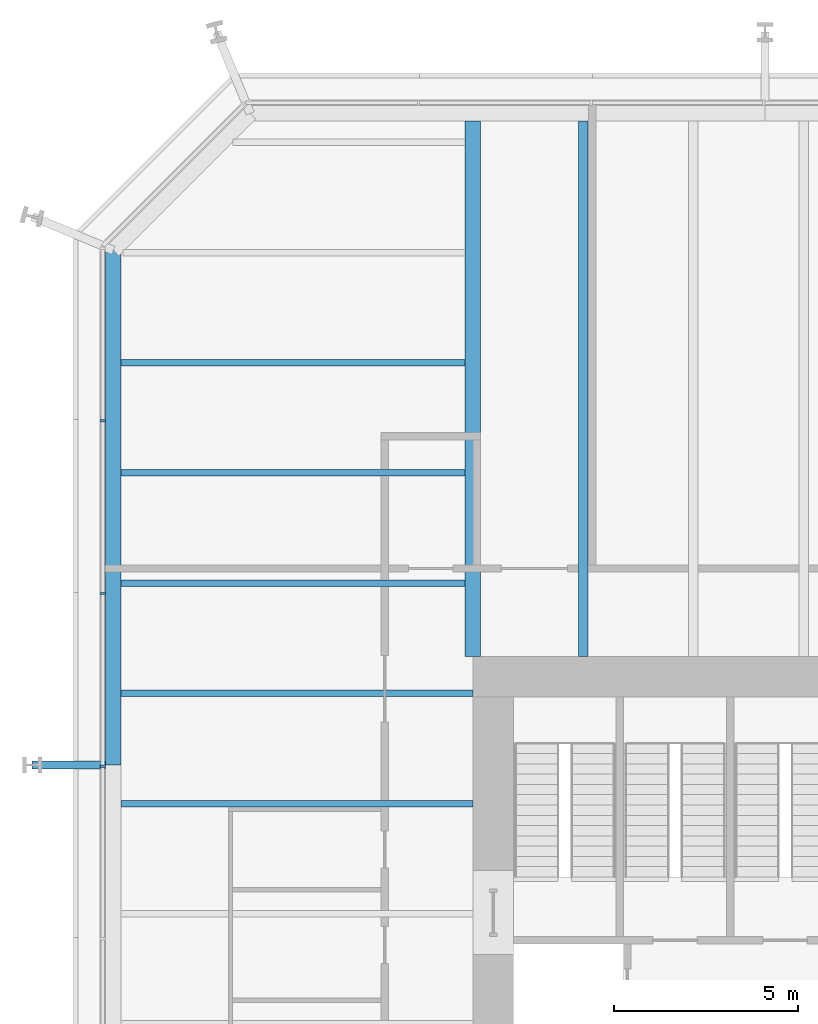
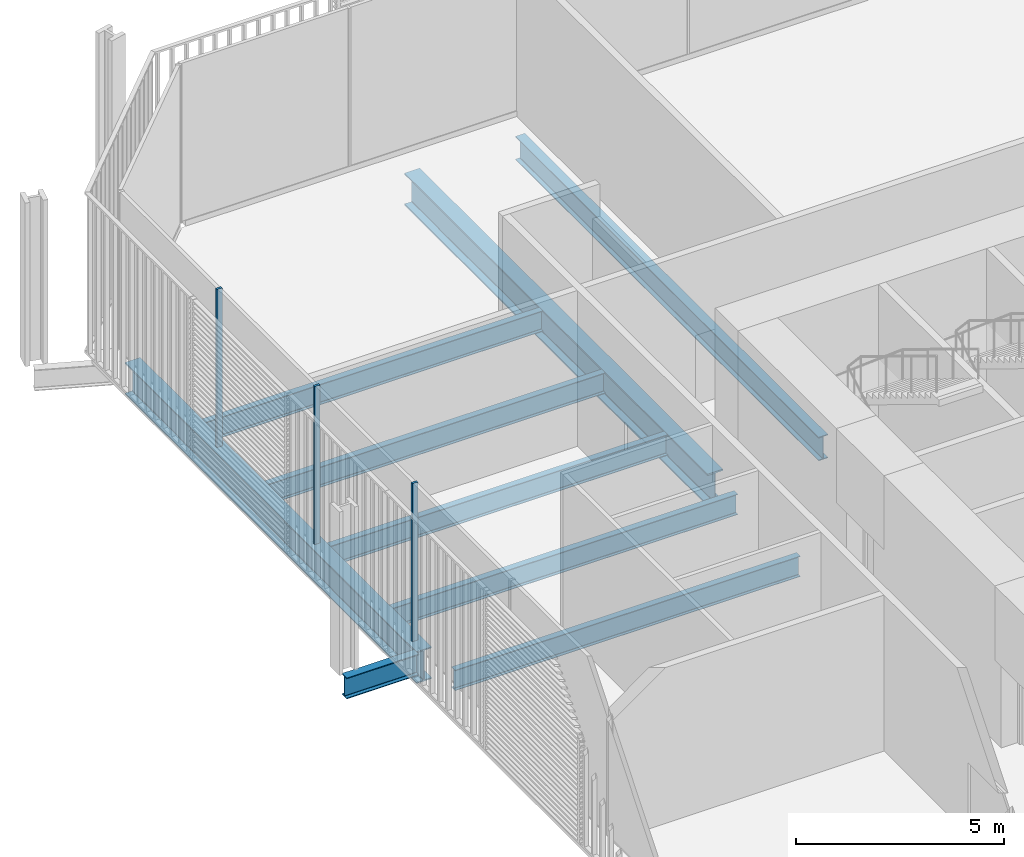
# One storey, part 12 of 22: 9 beams, 3 members, 1 element without a shape of its own.
"""IFC4 building model written with IfcOpenShell, lengths in metres."""

from ifc_helpers import new_model, si_unit, direction, frame, origin, origin_2d, place, context, subcontext, project, spatial, rectangle, i_section, extrude, material, layer, layer_set, material_profile, profile_set, type_object, element, aggregate, save


model = new_model("IFC4")

# Units and contexts
model_context = context("Model", 3, precision=1e-05, world=origin(), true_north=direction((0.0, 1.0)))
body_context = subcontext(model_context, "Body", "Model", "MODEL_VIEW")
ifc_project = project(units=[si_unit("LENGTHUNIT", "METRE"), si_unit("AREAUNIT", "SQUARE_METRE"), si_unit("VOLUMEUNIT", "CUBIC_METRE"), si_unit("PLANEANGLEUNIT", "RADIAN"), si_unit("MASSUNIT", "GRAM", prefix="KILO")], contexts=[model_context])

# Site, building, storey
site_placement = place(None, origin())
site = spatial("IfcSite", under=ifc_project, at=site_placement, CompositionType="ELEMENT")
building_placement = place(site_placement, origin())
building = spatial("IfcBuilding", under=site, at=building_placement, Name="Millrace Tower", CompositionType="ELEMENT")
storey_placement = place(building_placement, frame((0.0, 0.0, 49.699951171875)))
storey = spatial("IfcBuildingStorey", under=building, at=storey_placement, Name="L11", CompositionType="ELEMENT", Elevation=49.699951171875)

# Curtain wall, members
ifc_material_1 = material(Name="Aluminium and glass", Category="aluminium")
ifc_layer = layer(ifc_material_1, 0.14990234375)
ifc_layer_set = layer_set([ifc_layer], Name="Aluminium and glass")
curtain_wall_type = type_object("IfcCurtainWallType", Name="CW-2 data hall insulated curtain wall", PredefinedType="NOTDEFINED", material=ifc_layer_set)
curtain_wall_placement = place(storey_placement, origin())
curtain_wall = element("IfcCurtainWall", 1, at=curtain_wall_placement, inside=storey, type_object=curtain_wall_type, Name="Curtain wall A-F08 L11", PredefinedType="NOTDEFINED")
ifc_material_2 = material(Name="Aluminium", Category="aluminium")
ifc_material_profile_1 = material_profile(ifc_material_2, rectangle(XDim=0.06494140625, YDim=0.14990234375, at=origin_2d()))
ifc_profile_set_1 = profile_set([ifc_material_profile_1], Name="Aluminium")
member_type = type_object("IfcMemberType", Name="CW-2 data hall insulated curtain wall mullion", PredefinedType="MULLION", material=ifc_profile_set_1)
member_1_placement = place(storey_placement, frame((-25.074951171875, 16.41748046875, 0.16015625), z_axis=(0.0, 0.0, 1.0), x_axis=(0.0, -1.0, 0.0)))
member_1 = element("IfcMember", 2, at=member_1_placement, type_object=member_type, Name="CW2 mullion A-F08.2", PredefinedType="MULLION", context=body_context, shape_type="SweptSolid", body=[
    extrude(rectangle(XDim=0.06494140625, YDim=0.14990234375, at=origin_2d()), origin(), (0.0, 0.0, 1.0), 4.639892578125),
])
member_2_placement = place(storey_placement, frame((-25.074951171875, 11.717529296875, 0.16015625), z_axis=(0.0, 0.0, 1.0), x_axis=(0.0, -1.0, 0.0)))
member_2 = element("IfcMember", 3, at=member_2_placement, type_object=member_type, Name="CW2 mullion A-F08.3", PredefinedType="MULLION", context=body_context, shape_type="SweptSolid", body=[
    extrude(rectangle(XDim=0.06494140625, YDim=0.14990234375, at=origin_2d()), origin(), (0.0, 0.0, 1.0), 4.639892578125),
])
member_3_placement = place(storey_placement, frame((-25.074951171875, 7.017578125, 0.16015625), z_axis=(0.0, 0.0, 1.0), x_axis=(0.0, -1.0, 0.0)))
member_3 = element("IfcMember", 4, at=member_3_placement, type_object=member_type, Name="CW2 mullion A-F08.4", PredefinedType="MULLION", context=body_context, shape_type="SweptSolid", body=[
    extrude(rectangle(XDim=0.06494140625, YDim=0.14990234375, at=origin_2d()), origin(), (0.0, 0.0, 1.0), 4.639892578125),
])
aggregate(curtain_wall, [member_1, member_2, member_3])

# Beams
ifc_material_3 = material(Name="Steel ASTM A992 Grade 50", Category="steel")
ifc_material_profile_2 = material_profile(ifc_material_3, i_section(OverallWidth=0.1787109375, OverallDepth=0.60205078125, WebThickness=0.010986328125, FlangeThickness=0.014892578125, FilletRadius=0.0126953125, at=origin_2d()))
ifc_profile_set_2 = profile_set([ifc_material_profile_2], Name="Steel ASTM A992 Grade 50")
beam_type_1 = type_object("IfcBeamType", Name="Floor beam W24x62", PredefinedType="JOIST", material=ifc_profile_set_2)
for number, where, z_axis, x_axis, name in (
    (5, (-24.578369140625, 6.0, -0.52587890625), (1.0, 0.0, 0.0), (0.0, 1.0, 0.0), "BM-A-L11-S1-S027"),
    (6, (-24.578369140625, 9.0, -0.52587890625), (1.0, 0.0, 0.0), (0.0, 1.0, 0.0), "BM-A-L11-S1-S030"),
):
    element("IfcBeam", number, at=place(storey_placement, frame(where, z_axis=z_axis, x_axis=x_axis)), inside=storey, type_object=beam_type_1, Name=name, PredefinedType="JOIST", context=body_context, shape_type="SweptSolid", body=[
        extrude(i_section(OverallWidth=0.1787109375, OverallDepth=0.60205078125, WebThickness=0.010986328125, FlangeThickness=0.014892578125, FilletRadius=0.0126953125, at=origin_2d()), origin(), (0.0, 0.0, 1.0), 9.578369140625),
    ])
for number, where, z_axis, x_axis, name in (
    (7, (-24.578369140625, 12.0, -0.52587890625), (1.0, 0.0, 0.0), (0.0, 1.0, 0.0), "BM-A-L11-S1-S032"),
    (8, (-24.578369140625, 15.0, -0.52587890625), (1.0, 0.0, 0.0), (0.0, 1.0, 0.0), "BM-A-L11-S1-S034"),
    (9, (-24.578369140625, 18.0, -0.52587890625), (1.0, 0.0, 0.0), (0.0, 1.0, 0.0), "BM-A-L11-S1-S036"),
):
    element("IfcBeam", number, at=place(storey_placement, frame(where, z_axis=z_axis, x_axis=x_axis)), inside=storey, type_object=beam_type_1, Name=name, PredefinedType="JOIST", context=body_context, shape_type="SweptSolid", body=[
        extrude(i_section(OverallWidth=0.1787109375, OverallDepth=0.60205078125, WebThickness=0.010986328125, FlangeThickness=0.014892578125, FilletRadius=0.0126953125, at=origin_2d()), origin(), (0.0, 0.0, 1.0), 9.3662109375),
    ])
ifc_material_4 = material(Name="Steel ASTM A992 Grade 50", Category="steel")
ifc_material_profile_3 = material_profile(ifc_material_4, i_section(OverallWidth=0.256591796875, OverallDepth=0.693359375, WebThickness=0.014404296875, FlangeThickness=0.023681640625, FilletRadius=0.01513671875, at=origin_2d()))
ifc_profile_set_3 = profile_set([ifc_material_profile_3], Name="Steel ASTM A992 Grade 50")
beam_type_2 = type_object("IfcBeamType", Name="Floor beam W27x114", PredefinedType="JOIST", material=ifc_profile_set_3)
beam_1_placement = place(storey_placement, frame((-12.0, 10.0, -0.57177734375), z_axis=(0.0, 1.0, 0.0), x_axis=(-1.0, 0.0, 0.0)))
element("IfcBeam", 10, at=beam_1_placement, inside=storey, type_object=beam_type_2, Name="BM-A-L11-S1-S042", PredefinedType="JOIST", context=body_context, shape_type="SweptSolid", body=[
    extrude(i_section(OverallWidth=0.256591796875, OverallDepth=0.693359375, WebThickness=0.014404296875, FlangeThickness=0.023681640625, FilletRadius=0.01513671875, at=origin_2d()), origin(), (0.0, 0.0, 1.0), 14.578369140625),
])
ifc_material_5 = material(Name="Steel ASTM A992 Grade 50", Category="steel")
ifc_material_profile_4 = material_profile(ifc_material_5, i_section(OverallWidth=0.424072265625, OverallDepth=0.947509765625, WebThickness=0.02392578125, FlangeThickness=0.042724609375, FilletRadius=0.024169921875, at=origin_2d()))
ifc_profile_set_4 = profile_set([ifc_material_profile_4], Name="Steel ASTM A992 Grade 50")
beam_type_3 = type_object("IfcBeamType", Name="Girder medium span W36x302", PredefinedType="BEAM", material=ifc_profile_set_4)
beam_2_placement = place(storey_placement, frame((-15.0, 10.0, -0.69873046875), z_axis=(0.0, 1.0, 0.0), x_axis=(-1.0, 0.0, 0.0)))
element("IfcBeam", 11, at=beam_2_placement, inside=storey, type_object=beam_type_3, Name="BM-A-L11-S1-G060", PredefinedType="BEAM", context=body_context, shape_type="SweptSolid", body=[
    extrude(i_section(OverallWidth=0.424072265625, OverallDepth=0.947509765625, WebThickness=0.02392578125, FlangeThickness=0.042724609375, FilletRadius=0.024169921875, at=origin_2d()), origin(), (0.0, 0.0, 1.0), 14.578369140625),
])
ifc_material_6 = material(Name="Steel ASTM A992 Grade 50", Category="steel")
ifc_material_profile_5 = material_profile(ifc_material_6, i_section(OverallWidth=0.23046875, OverallDepth=0.6171875, WebThickness=0.01318359375, FlangeThickness=0.022216796875, FilletRadius=0.012939453125, at=origin_2d()))
ifc_profile_set_5 = profile_set([ifc_material_profile_5], Name="Steel ASTM A992 Grade 50")
beam_type_4 = type_object("IfcBeamType", Name="Link beam W24x94", PredefinedType="BEAM", material=ifc_profile_set_5)
beam_3_placement = place(storey_placement, frame((-25.0, 7.050048828125, -0.533447265625), z_axis=(-1.0, 0.0, 0.0), x_axis=(0.0, -1.0, 0.0)))
element("IfcBeam", 12, at=beam_3_placement, inside=storey, type_object=beam_type_4, Name="LNK-A-L11-S1-03", PredefinedType="BEAM", context=body_context, shape_type="SweptSolid", body=[
    extrude(i_section(OverallWidth=0.23046875, OverallDepth=0.6171875, WebThickness=0.01318359375, FlangeThickness=0.022216796875, FilletRadius=0.012939453125, at=origin_2d()), origin(), (0.0, 0.0, 1.0), 2.0),
])
ifc_material_7 = material(Name="Steel ASTM A992 Grade 50", Category="steel")
ifc_material_profile_6 = material_profile(ifc_material_7, i_section(OverallWidth=0.421630859375, OverallDepth=0.937255859375, WebThickness=0.021240234375, FlangeThickness=0.03662109375, FilletRadius=0.024169921875, at=origin_2d()))
ifc_profile_set_6 = profile_set([ifc_material_profile_6], Name="Steel ASTM A992 Grade 50")
beam_type_5 = type_object("IfcBeamType", Name="Ring beam medium span W36x262", PredefinedType="SPANDREL", material=ifc_profile_set_6)
beam_4_placement = place(storey_placement, frame((-24.7890625, 7.050048828125, -0.693603515625), z_axis=(0.0, 1.0, 0.0), x_axis=(-1.0, 0.0, 0.0)))
element("IfcBeam", 13, at=beam_4_placement, inside=storey, type_object=beam_type_5, Name="RNG-A-L11-S1-03", PredefinedType="SPANDREL", context=body_context, shape_type="SweptSolid", body=[
    extrude(i_section(OverallWidth=0.421630859375, OverallDepth=0.937255859375, WebThickness=0.021240234375, FlangeThickness=0.03662109375, FilletRadius=0.024169921875, at=origin_2d()), origin(), (0.0, 0.0, 1.0), 14.0126953125),
])

save(model, "model.ifc")
